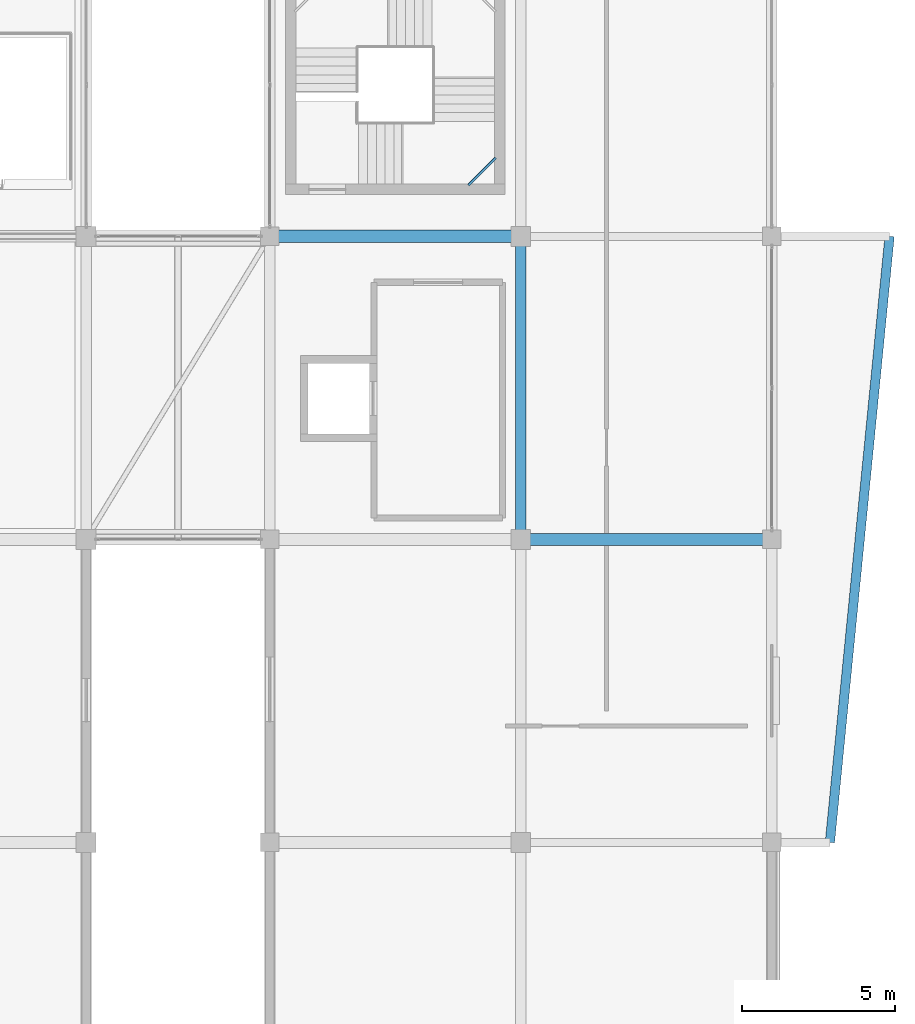
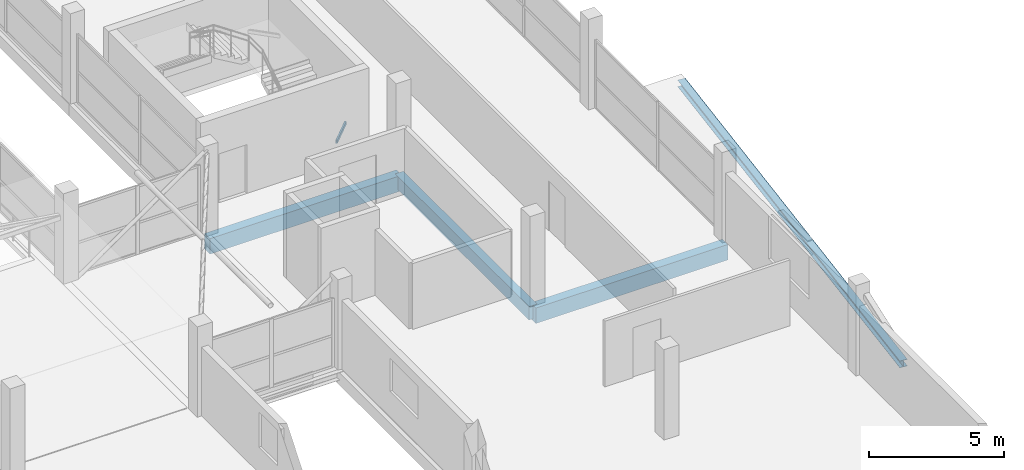
# One storey, part 18 of 66: 5 beams.
"""IFC4 building model written with IfcOpenShell, lengths in metres."""

from ifc_helpers import new_model, si_unit, direction, frame, origin, origin_2d, place, context, subcontext, project, spatial, rectangle, hollow_rectangle, i_section, extrude, material, material_profile, profile_set, type_object, element, save


model = new_model("IFC4")

# Units and contexts
model_context = context("Model", 3, precision=1e-05, world=origin(), true_north=direction((0.0, 1.0)))
body_context = subcontext(model_context, "Body", "Model", "MODEL_VIEW")
ifc_project = project(units=[si_unit("LENGTHUNIT", "METRE"), si_unit("AREAUNIT", "SQUARE_METRE"), si_unit("VOLUMEUNIT", "CUBIC_METRE"), si_unit("PLANEANGLEUNIT", "RADIAN"), si_unit("MASSUNIT", "GRAM", prefix="KILO")], contexts=[model_context])

# Site, building, storey
site_placement = place(None, origin())
site = spatial("IfcSite", under=ifc_project, at=site_placement, CompositionType="ELEMENT")
building_placement = place(site_placement, origin())
building = spatial("IfcBuilding", under=site, at=building_placement, Name="Sillaruma Civic Art Gallery", CompositionType="ELEMENT")
storey_placement = place(building_placement, frame((0.0, 0.0, 62.219970703125)))
storey = spatial("IfcBuildingStorey", under=building, at=storey_placement, Name="L12", CompositionType="ELEMENT", Elevation=62.219970703125)

# Beams
ifc_material_1 = material(Name="Concrete H35 (35 MPa)", Category="concrete")
ifc_material_profile_1 = material_profile(ifc_material_1, rectangle(XDim=0.35009765625, YDim=0.60009765625, at=origin_2d()), Name="RCB350x600")
ifc_profile_set_1 = profile_set([ifc_material_profile_1], Name="Concrete H35 (35 MPa)")
beam_type_1 = type_object("IfcBeamType", Name="BM-BEAM-RCB350x600", PredefinedType="BEAM", material=ifc_profile_set_1)
beam_1_placement = place(storey_placement, frame((106.199951171875, 39.60009765625, -0.530029296875), z_axis=(0.0, 1.0, 0.0), x_axis=(-1.0, 0.0, 0.0)))
element("IfcBeam", 1, at=beam_1_placement, inside=storey, type_object=beam_type_1, Name="Beam BM-06 (L11:M:5-6)", PredefinedType="BEAM", context=body_context, shape_type="SweptSolid", body=[
    extrude(rectangle(XDim=0.35009765625, YDim=0.60009765625, at=origin_2d()), origin(), (0.0, 0.0, 1.0), 9.89990234375),
])
ifc_material_profile_2 = material_profile(ifc_material_1, rectangle(XDim=0.39990234375, YDim=0.699951171875, at=origin_2d()), Name="RCB400x700")
ifc_profile_set_2 = profile_set([ifc_material_profile_2], Name="Concrete H35 (35 MPa)")
beam_type_2 = type_object("IfcBeamType", Name="BM-BEAM-RCB400x700", PredefinedType="BEAM", material=ifc_profile_set_2)
for number, where, z_axis, x_axis, name in (
    (2, (106.199951171875, 39.60009765625, -0.580078125), (1.0, 0.0, 0.0), (0.0, 1.0, 0.0), "Beam BM-04 (L11:5:M-N)"),
    (3, (98.0, 49.5, -0.580078125), (1.0, 0.0, 0.0), (0.0, 1.0, 0.0), "Beam BM-04 (L11:6:L-M)"),
):
    element("IfcBeam", number, at=place(storey_placement, frame(where, z_axis=z_axis, x_axis=x_axis)), inside=storey, type_object=beam_type_2, Name=name, PredefinedType="BEAM", context=body_context, shape_type="SweptSolid", body=[
        extrude(rectangle(XDim=0.39990234375, YDim=0.699951171875, at=origin_2d()), origin(), (0.0, 0.0, 1.0), 8.199951171875),
    ])
ifc_material_2 = material(Name="Structural Steel ASTM A500 Gr.C", Category="steel")
ifc_material_profile_3 = material_profile(ifc_material_2, hollow_rectangle(XDim=0.080078125, YDim=0.159912109375, WallThickness=0.008056640625, InnerFilletRadius=0.008056640625, OuterFilletRadius=0.01611328125, at=origin_2d()), Name="HSS160x80x8")
ifc_profile_set_3 = profile_set([ifc_material_profile_3], Name="Structural Steel ASTM A500 Gr.C")
beam_type_3 = type_object("IfcBeamType", Name="BM-LND-HSS160", PredefinedType="BEAM", material=ifc_profile_set_3)
beam_2_placement = place(storey_placement, frame((104.489990234375, 51.169921875, 0.739990234375), z_axis=(0.707009791025, 0.707203758046, 0.0), x_axis=(-0.707203758046, 0.707009791025, 0.0)))
element("IfcBeam", 4, at=beam_2_placement, inside=storey, type_object=beam_type_3, Name="Stair Corner Landing Trimmer Beam (ST-04-L12-1)", PredefinedType="BEAM", context=body_context, shape_type="SweptSolid", body=[
    extrude(hollow_rectangle(XDim=0.080078125, YDim=0.159912109375, WallThickness=0.008056640625, InnerFilletRadius=0.008056640625, OuterFilletRadius=0.01611328125, at=origin_2d()), origin(), (0.0, 0.0, 1.0), 1.2587890625),
])
ifc_material_3 = material(Name="Structural Steel ASTM A992 Gr.50", Category="steel")
ifc_material_profile_4 = material_profile(ifc_material_3, i_section(OverallWidth=0.305908203125, OverallDepth=0.31103515625, WebThickness=0.010986328125, FlangeThickness=0.01708984375, FilletRadius=0.014892578125, at=origin_2d()), Name="W310x107")
ifc_profile_set_4 = profile_set([ifc_material_profile_4], Name="Structural Steel ASTM A992 Gr.50")
beam_type_4 = type_object("IfcBeamType", Name="BM-PROW-W310x107", PredefinedType="SPANDREL", material=ifc_profile_set_4)
beam_3_placement = place(storey_placement, frame((116.300048828125, 29.699951171875, -0.385498046875), z_axis=(0.098008009694, 0.995185625919, 0.0), x_axis=(-0.995185625919, 0.098008009694, 0.0)))
element("IfcBeam", 5, at=beam_3_placement, inside=storey, type_object=beam_type_4, Name="Angled Prow Edge Spandrel (PRW-L11-E-ROF)", PredefinedType="SPANDREL", context=body_context, shape_type="SweptSolid", body=[
    extrude(i_section(OverallWidth=0.305908203125, OverallDepth=0.31103515625, WebThickness=0.010986328125, FlangeThickness=0.01708984375, FilletRadius=0.014892578125, at=origin_2d()), origin(), (0.0, 0.0, 1.0), 19.895751953125),
])

save(model, "model.ifc")
